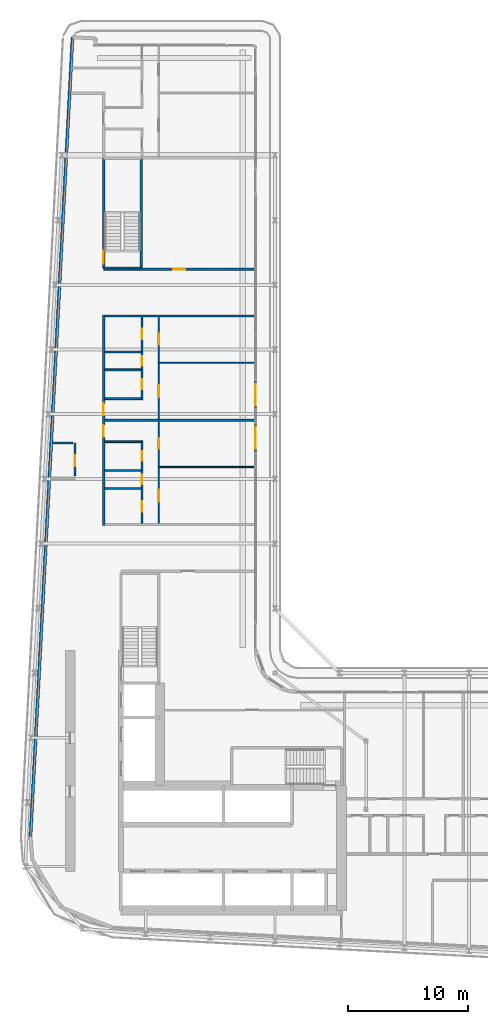
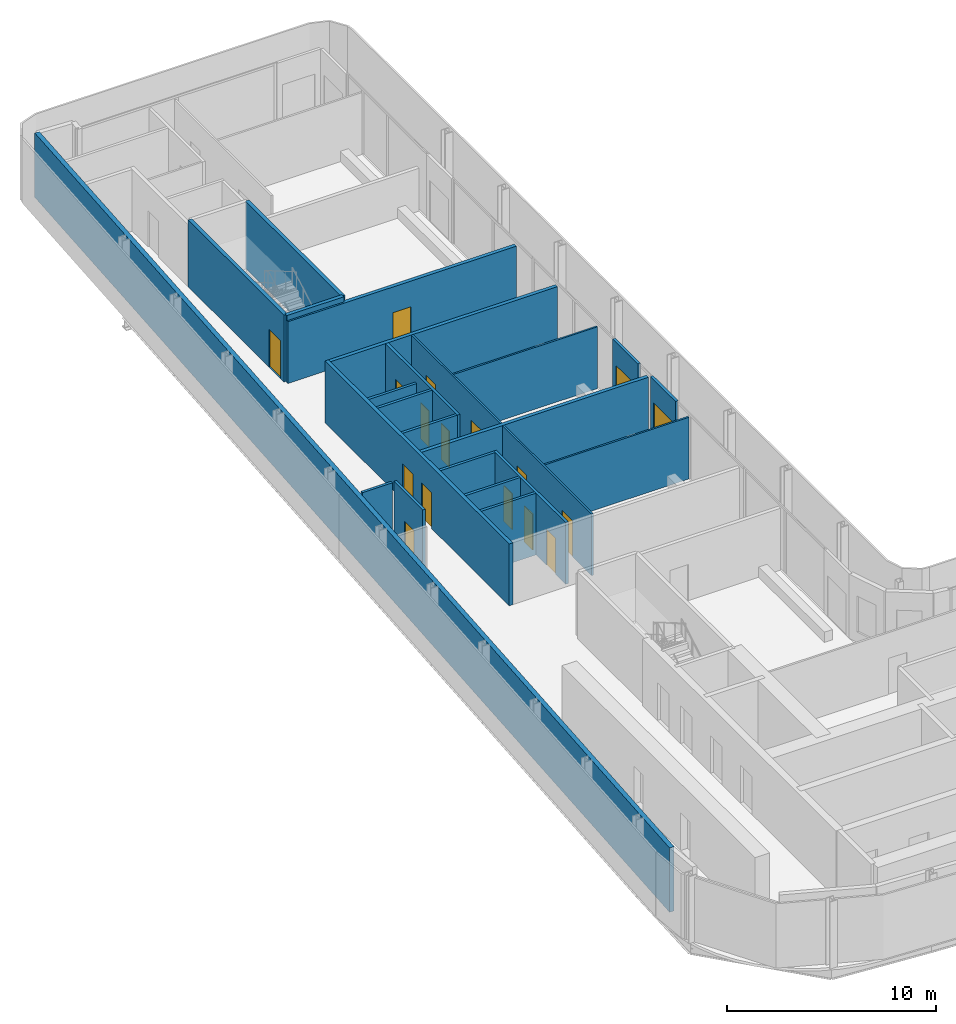
# One storey, part 19 of 29: 24 walls, 17 doors, 17 openings.
"""IFC4 building model written with IfcOpenShell, lengths in metres."""

from ifc_helpers import new_model, si_unit, direction, frame, frame_2d, origin, place, context, subcontext, project, spatial, rectangle, extrude, source, transform, mapped, material, layer, layer_set, type_object, element, fill, save


model = new_model("IFC4")

# Units and contexts
model_context = context("Model", 3, precision=1e-05, world=origin(), true_north=direction((0.0, 1.0)))
body_context = subcontext(model_context, "Body", "Model", "MODEL_VIEW")
ifc_project = project(units=[si_unit("LENGTHUNIT", "METRE"), si_unit("AREAUNIT", "SQUARE_METRE"), si_unit("VOLUMEUNIT", "CUBIC_METRE"), si_unit("PLANEANGLEUNIT", "RADIAN"), si_unit("MASSUNIT", "GRAM", prefix="KILO")], contexts=[model_context])

# Site, building, storey
site_placement = place(None, origin())
site = spatial("IfcSite", under=ifc_project, at=site_placement, CompositionType="ELEMENT")
building_placement = place(site_placement, origin())
building = spatial("IfcBuilding", under=site, at=building_placement, Name="Kheshtan School and Residences Tower", CompositionType="ELEMENT")
storey_placement = place(building_placement, frame((0.0, 0.0, 176.0)))
storey = spatial("IfcBuildingStorey", under=building, at=storey_placement, Name="L41", CompositionType="ELEMENT", Elevation=176.0)

# Wall, openings, doors
ifc_material_1 = material(Name="Gypsum board on steel studs with fire boards", Category="steel")
ifc_layer_1 = layer(ifc_material_1, 0.199951171875)
ifc_layer_set_1 = layer_set([ifc_layer_1], Name="Corridor wall 200")
wall_type_1 = type_object("IfcWallType", Name="Corridor wall 200", PredefinedType="PARTITIONING", material=ifc_layer_set_1)
wall_1_placement = place(storey_placement, frame((33.300048828125, 57.89990234375, 0.0), z_axis=(0.0, 0.0, 1.0), x_axis=(0.0, 1.0, 0.0)))
wall_1 = element("IfcWall", 1, at=wall_1_placement, inside=storey, type_object=wall_type_1, Name="Partition L41-003", PredefinedType="PARTITIONING", context=body_context, shape_type="SweptSolid", body=[
    extrude(rectangle(XDim=17.60009765625, YDim=0.199951171875, at=frame_2d((8.800048828125, 0.0))), origin(), (0.0, 0.0, 1.0), 3.60009765625),
])
opening_1_placement = place(wall_1_placement, frame((7.39990234375, 0.0, 0.0)))
opening_1 = element("IfcOpeningElement", 2, at=opening_1_placement, cuts=wall_1, Name="Opening D41-033", PredefinedType="OPENING", context=body_context, shape_type="SweptSolid", body=[
    extrude(rectangle(XDim=1.0, YDim=2.10009765625, at=frame_2d((0.5, 1.050048828125))), frame((0.0, 0.10986328125, 0.0), z_axis=(0.0, -1.0, 0.0), x_axis=(1.0, 0.0, 0.0)), (0.0, 0.0, 1.0), 0.219970703125),
])
opening_2_placement = place(wall_1_placement, frame((9.199951171875, 0.0, 0.0)))
opening_2 = element("IfcOpeningElement", 3, at=opening_2_placement, cuts=wall_1, Name="Opening D41-039", PredefinedType="OPENING", context=body_context, shape_type="SweptSolid", body=[
    extrude(rectangle(XDim=1.0, YDim=2.10009765625, at=frame_2d((0.5, 1.050048828125))), frame((0.0, 0.10986328125, 0.0), z_axis=(0.0, -1.0, 0.0), x_axis=(1.0, 0.0, 0.0)), (0.0, 0.0, 1.0), 0.219970703125),
])
ifc_material_2 = material(Name="Steel-framed fire-resisting door leaf", Category="steel")
door_type_1 = type_object("IfcDoorType", Name="Fire door FD30S 1000 x 2100", OperationType="SINGLE_SWING_LEFT", PredefinedType="DOOR", material=ifc_material_2)
shared_shape_1 = source(origin(), body_context, "Body", "SweptSolid", [
    extrude(rectangle(XDim=1.0, YDim=2.10009765625, at=frame_2d((0.5, 1.050048828125))), frame((0.0, 0.02490234375, 0.0), z_axis=(0.0, -1.0, 0.0), x_axis=(1.0, 0.0, 0.0)), (0.0, 0.0, 1.0), 0.050048828125),
])
door_1_placement = place(opening_1_placement, origin())
door_1 = element("IfcDoor", 4, at=door_1_placement, inside=storey, type_object=door_type_1, Name="Door D41-033", OperationType="SINGLE_SWING_LEFT", OverallHeight=2.10009765625, OverallWidth=1.0, PredefinedType="DOOR", context=body_context, shape_type="MappedRepresentation", body=[
    mapped(shared_shape_1, transform((0.0, 0.0, 0.0), x_axis=(1.0, 0.0, 0.0), y_axis=(0.0, 1.0, 0.0), z_axis=(0.0, 0.0, 1.0), scale=1.0)),
])
fill(opening_1, door_1)
door_2_placement = place(opening_2_placement, origin())
door_2 = element("IfcDoor", 5, at=door_2_placement, inside=storey, type_object=door_type_1, Name="Door D41-039", OperationType="SINGLE_SWING_LEFT", OverallHeight=2.10009765625, OverallWidth=1.0, PredefinedType="DOOR", context=body_context, shape_type="MappedRepresentation", body=[
    mapped(shared_shape_1, transform((0.0, 0.0, 0.0), x_axis=(1.0, 0.0, 0.0), y_axis=(0.0, 1.0, 0.0), z_axis=(0.0, 0.0, 1.0), scale=1.0)),
])
fill(opening_2, door_2)

# Wall, opening, door
wall_2_placement = place(storey_placement, frame((33.300048828125, 79.300048828125, 0.0), z_axis=(0.0, 0.0, 1.0), x_axis=(1.0, 0.0, 0.0)))
wall_2 = element("IfcWall", 6, at=wall_2_placement, inside=storey, type_object=wall_type_1, Name="Partition L41-004", PredefinedType="PARTITIONING", context=body_context, shape_type="SweptSolid", body=[
    extrude(rectangle(XDim=12.599853515625, YDim=0.199951171875, at=frame_2d((6.2998046875, 0.0))), origin(), (0.0, 0.0, 1.0), 3.60009765625),
])
opening_3_placement = place(wall_2_placement, frame((5.794921875, 0.0, 0.0)))
opening_3 = element("IfcOpeningElement", 7, at=opening_3_placement, cuts=wall_2, Name="Opening D41-052", PredefinedType="OPENING", context=body_context, shape_type="SweptSolid", body=[
    extrude(rectangle(XDim=1.0, YDim=2.10009765625, at=frame_2d((0.5, 1.050048828125))), frame((0.0, 0.10986328125, 0.0), z_axis=(0.0, -1.0, 0.0), x_axis=(1.0, 0.0, 0.0)), (0.0, 0.0, 1.0), 0.219970703125),
])
door_type_2 = type_object("IfcDoorType", Name="Fire door FD60 1000 x 2100", OperationType="SINGLE_SWING_LEFT", PredefinedType="DOOR", material=ifc_material_2)
shared_shape_2 = source(origin(), body_context, "Body", "SweptSolid", [
    extrude(rectangle(XDim=1.0, YDim=2.10009765625, at=frame_2d((0.5, 1.050048828125))), frame((0.0, 0.02490234375, 0.0), z_axis=(0.0, -1.0, 0.0), x_axis=(1.0, 0.0, 0.0)), (0.0, 0.0, 1.0), 0.050048828125),
])
door_3_placement = place(opening_3_placement, origin())
door_3 = element("IfcDoor", 8, at=door_3_placement, inside=storey, type_object=door_type_2, Name="Door D41-052", OperationType="SINGLE_SWING_RIGHT", OverallHeight=2.10009765625, OverallWidth=1.0, PredefinedType="DOOR", context=body_context, shape_type="MappedRepresentation", body=[
    mapped(shared_shape_2, transform((0.0, 0.0, 0.0), x_axis=(1.0, 0.0, 0.0), y_axis=(0.0, 1.0, 0.0), z_axis=(0.0, 0.0, 1.0), scale=1.0)),
])
fill(opening_3, door_3)

# Walls
wall_3_placement = place(storey_placement, frame((33.39990234375, 75.39990234375, 0.0), z_axis=(0.0, 0.0, 1.0), x_axis=(1.0, 0.0, 0.0)))
element("IfcWall", 9, at=wall_3_placement, inside=storey, type_object=wall_type_1, Name="Partition L41-014", PredefinedType="PARTITIONING", context=body_context, shape_type="SweptSolid", body=[
    extrude(rectangle(XDim=12.5, YDim=0.199951171875, at=frame_2d((6.25, 0.0))), origin(), (0.0, 0.0, 1.0), 3.60009765625),
])
ifc_material_3 = material(Name="Concrete C40/50 with ceramic cladding and mineral wool insulation", Category="concrete")
ifc_layer_2 = layer(ifc_material_3, 0.25)
ifc_layer_set_2 = layer_set([ifc_layer_2], Name="External wall 250 ceramic clad")
wall_type_2 = type_object("IfcWallType", Name="External wall 250 ceramic clad", PredefinedType="SOLIDWALL", material=ifc_layer_set_2)
wall_4_placement = place(storey_placement, frame((27.195068359375, 31.968994140625, 0.0), z_axis=(0.0, 0.0, 1.0), x_axis=(0.052554995867, 0.998618031286, 0.0)))
element("IfcWall", 10, at=wall_4_placement, inside=storey, type_object=wall_type_2, Name="External wall L41 4", PredefinedType="SOLIDWALL", context=body_context, shape_type="SweptSolid", body=[
    extrude(rectangle(XDim=66.787353515625, YDim=0.25, at=frame_2d((33.3935546875, 0.0))), origin(), (0.0, 0.0, 1.0), 3.75),
])

# Wall, opening, door
ifc_material_4 = material(Name="Aluminium frame wall with insulated infill", Category="aluminium")
ifc_layer_3 = layer(ifc_material_4, 0.14990234375)
ifc_layer_set_3 = layer_set([ifc_layer_3], Name="Glazing frame wall 150")
wall_type_3 = type_object("IfcWallType", Name="Glazing frame wall 150", PredefinedType="SOLIDWALL", material=ifc_layer_set_3)
wall_5_placement = place(storey_placement, frame((45.97509765625, 70.01806640625, 0.0), z_axis=(0.0, 0.0, 1.0), x_axis=(0.0, -1.0, 0.0)))
wall_5 = element("IfcWall", 11, at=wall_5_placement, inside=storey, type_object=wall_type_3, Name="Balcony door wall L41 8.3", PredefinedType="SOLIDWALL", context=body_context, shape_type="SweptSolid", body=[
    extrude(rectangle(XDim=2.400146484375, YDim=0.14990234375, at=frame_2d((1.2001953125, 0.0))), origin(), (0.0, 0.0, 1.0), 3.75),
])
opening_4_placement = place(wall_5_placement, frame((0.300048828125, 0.0, 0.0)))
opening_4 = element("IfcOpeningElement", 12, at=opening_4_placement, cuts=wall_5, Name="Opening BD", PredefinedType="OPENING", context=body_context, shape_type="SweptSolid", body=[
    extrude(rectangle(XDim=1.800048828125, YDim=2.39990234375, at=frame_2d((0.89990234375, 1.199951171875))), frame((0.0, 0.0849609375, 0.0), z_axis=(0.0, -1.0, 0.0), x_axis=(1.0, 0.0, 0.0)), (0.0, 0.0, 1.0), 0.169921875),
])
ifc_material_5 = material(Name="Clear low-e glass in thermally broken aluminium frame", Category="aluminium")
door_type_3 = type_object("IfcDoorType", Name="Balcony sliding door", OperationType="SLIDING_TO_LEFT", PredefinedType="DOOR", material=ifc_material_5)
shared_shape_3 = source(origin(), body_context, "Body", "SweptSolid", [
    extrude(rectangle(XDim=1.800048828125, YDim=2.39990234375, at=frame_2d((0.89990234375, 1.199951171875))), frame((0.0, 0.02490234375, 0.0), z_axis=(0.0, -1.0, 0.0), x_axis=(1.0, 0.0, 0.0)), (0.0, 0.0, 1.0), 0.050048828125),
])
door_4_placement = place(opening_4_placement, origin())
door_4 = element("IfcDoor", 13, at=door_4_placement, inside=storey, type_object=door_type_3, Name="Balcony door L41 8.3", OperationType="SLIDING_TO_LEFT", OverallHeight=2.39990234375, OverallWidth=1.800048828125, PredefinedType="DOOR", context=body_context, shape_type="MappedRepresentation", body=[
    mapped(shared_shape_3, transform((0.0, 0.0, 0.0), x_axis=(1.0, 0.0, 0.0), y_axis=(0.0, 1.0, 0.0), z_axis=(0.0, 0.0, 1.0), scale=1.0)),
])
fill(opening_4, door_4)

wall_6_placement = place(storey_placement, frame((45.97509765625, 66.41796875, 0.0), z_axis=(0.0, 0.0, 1.0), x_axis=(0.0, -1.0, 0.0)))
wall_6 = element("IfcWall", 14, at=wall_6_placement, inside=storey, type_object=wall_type_3, Name="Balcony door wall L41 8.4", PredefinedType="SOLIDWALL", context=body_context, shape_type="SweptSolid", body=[
    extrude(rectangle(XDim=2.39990234375, YDim=0.14990234375, at=frame_2d((1.199951171875, 0.0))), origin(), (0.0, 0.0, 1.0), 3.75),
])
opening_5_placement = place(wall_6_placement, frame((0.300048828125, 0.0, 0.0)))
opening_5 = element("IfcOpeningElement", 15, at=opening_5_placement, cuts=wall_6, Name="Opening BD", PredefinedType="OPENING", context=body_context, shape_type="SweptSolid", body=[
    extrude(rectangle(XDim=1.800048828125, YDim=2.39990234375, at=frame_2d((0.89990234375, 1.199951171875))), frame((0.0, 0.0849609375, 0.0), z_axis=(0.0, -1.0, 0.0), x_axis=(1.0, 0.0, 0.0)), (0.0, 0.0, 1.0), 0.169921875),
])
door_5_placement = place(opening_5_placement, origin())
door_5 = element("IfcDoor", 16, at=door_5_placement, inside=storey, type_object=door_type_3, Name="Balcony door L41 8.4", OperationType="SLIDING_TO_LEFT", OverallHeight=2.39990234375, OverallWidth=1.800048828125, PredefinedType="DOOR", context=body_context, shape_type="MappedRepresentation", body=[
    mapped(shared_shape_3, transform((0.0, 0.0, 0.0), x_axis=(1.0, 0.0, 0.0), y_axis=(0.0, 1.0, 0.0), z_axis=(0.0, 0.0, 1.0), scale=1.0)),
])
fill(opening_5, door_5)

# Wall, openings, doors
ifc_material_6 = material(Name="Gypsum board on steel studs", Category="steel")
ifc_layer_4 = layer(ifc_material_6, 0.10009765625)
ifc_layer_set_4 = layer_set([ifc_layer_4], Name="Gypsum partition 100")
wall_type_4 = type_object("IfcWallType", Name="Gypsum partition 100", PredefinedType="PARTITIONING", material=ifc_layer_set_4)
wall_7_placement = place(storey_placement, frame((37.89990234375, 58.10009765625, 0.0), z_axis=(0.0, 0.0, 1.0), x_axis=(0.0, 1.0, 0.0)))
wall_7 = element("IfcWall", 17, at=wall_7_placement, inside=storey, type_object=wall_type_4, Name="Partition L41-023", PredefinedType="PARTITIONING", context=body_context, shape_type="SweptSolid", body=[
    extrude(rectangle(XDim=8.5, YDim=0.10009765625, at=frame_2d((4.25, 0.0))), origin(), (0.0, 0.0, 1.0), 3.60009765625),
])
opening_6_placement = place(wall_7_placement, frame((6.199951171875, 0.0, 0.0)))
opening_6 = element("IfcOpeningElement", 18, at=opening_6_placement, cuts=wall_7, Name="Opening D41-032", PredefinedType="OPENING", context=body_context, shape_type="SweptSolid", body=[
    extrude(rectangle(XDim=0.89990234375, YDim=2.10009765625, at=frame_2d((0.449951171875, 1.050048828125))), frame((0.0, 0.06005859375, 0.0), z_axis=(0.0, -1.0, 0.0), x_axis=(1.0, 0.0, 0.0)), (0.0, 0.0, 1.0), 0.1201171875),
])
opening_7_placement = place(wall_7_placement, frame((1.800048828125, 0.0, 0.0)))
opening_7 = element("IfcOpeningElement", 19, at=opening_7_placement, cuts=wall_7, Name="Opening D41-035", PredefinedType="OPENING", context=body_context, shape_type="SweptSolid", body=[
    extrude(rectangle(XDim=1.0, YDim=2.10009765625, at=frame_2d((0.5, 1.050048828125))), frame((0.0, 0.06005859375, 0.0), z_axis=(0.0, -1.0, 0.0), x_axis=(1.0, 0.0, 0.0)), (0.0, 0.0, 1.0), 0.1201171875),
])
ifc_material_7 = material(Name="Veneered timber door leaf", Category="wood")
door_type_4 = type_object("IfcDoorType", Name="Door 1000 x 2100", OperationType="SINGLE_SWING_LEFT", PredefinedType="DOOR", material=ifc_material_7)
shared_shape_4 = source(origin(), body_context, "Body", "SweptSolid", [
    extrude(rectangle(XDim=1.0, YDim=2.10009765625, at=frame_2d((0.5, 1.050048828125))), frame((0.0, 0.02490234375, 0.0), z_axis=(0.0, -1.0, 0.0), x_axis=(1.0, 0.0, 0.0)), (0.0, 0.0, 1.0), 0.050048828125),
])
door_6_placement = place(opening_7_placement, origin())
door_6 = element("IfcDoor", 20, at=door_6_placement, inside=storey, type_object=door_type_4, Name="Door D41-035", OperationType="SINGLE_SWING_RIGHT", OverallHeight=2.10009765625, OverallWidth=1.0, PredefinedType="DOOR", context=body_context, shape_type="MappedRepresentation", body=[
    mapped(shared_shape_4, transform((0.0, 0.0, 0.0), x_axis=(1.0, 0.0, 0.0), y_axis=(0.0, 1.0, 0.0), z_axis=(0.0, 0.0, 1.0), scale=1.0)),
])
fill(opening_7, door_6)
door_type_5 = type_object("IfcDoorType", Name="Door 900 x 2100", OperationType="SINGLE_SWING_LEFT", PredefinedType="DOOR", material=ifc_material_7)
shared_shape_5 = source(origin(), body_context, "Body", "SweptSolid", [
    extrude(rectangle(XDim=0.89990234375, YDim=2.10009765625, at=frame_2d((0.449951171875, 1.050048828125))), frame((0.0, 0.02490234375, 0.0), z_axis=(0.0, -1.0, 0.0), x_axis=(1.0, 0.0, 0.0)), (0.0, 0.0, 1.0), 0.050048828125),
])
door_7_placement = place(opening_6_placement, origin())
door_7 = element("IfcDoor", 21, at=door_7_placement, inside=storey, type_object=door_type_5, Name="Door D41-032", OperationType="SINGLE_SWING_RIGHT", OverallHeight=2.10009765625, OverallWidth=0.89990234375, PredefinedType="DOOR", context=body_context, shape_type="MappedRepresentation", body=[
    mapped(shared_shape_5, transform((0.0, 0.0, 0.0), x_axis=(1.0, 0.0, 0.0), y_axis=(0.0, 1.0, 0.0), z_axis=(0.0, 0.0, 1.0), scale=1.0)),
])
fill(opening_6, door_7)

wall_8_placement = place(storey_placement, frame((37.89990234375, 66.800048828125, 0.0), z_axis=(0.0, 0.0, 1.0), x_axis=(0.0, 1.0, 0.0)))
wall_8 = element("IfcWall", 22, at=wall_8_placement, inside=storey, type_object=wall_type_4, Name="Partition L41-024", PredefinedType="PARTITIONING", context=body_context, shape_type="SweptSolid", body=[
    extrude(rectangle(XDim=8.5, YDim=0.10009765625, at=frame_2d((4.25, 0.0))), origin(), (0.0, 0.0, 1.0), 3.60009765625),
])
opening_8_placement = place(wall_8_placement, frame((6.199951171875, 0.0, 0.0)))
opening_8 = element("IfcOpeningElement", 23, at=opening_8_placement, cuts=wall_8, Name="Opening D41-038", PredefinedType="OPENING", context=body_context, shape_type="SweptSolid", body=[
    extrude(rectangle(XDim=0.89990234375, YDim=2.10009765625, at=frame_2d((0.449951171875, 1.050048828125))), frame((0.0, 0.06005859375, 0.0), z_axis=(0.0, -1.0, 0.0), x_axis=(1.0, 0.0, 0.0)), (0.0, 0.0, 1.0), 0.1201171875),
])
opening_9_placement = place(wall_8_placement, frame((1.800048828125, 0.0, 0.0)))
opening_9 = element("IfcOpeningElement", 24, at=opening_9_placement, cuts=wall_8, Name="Opening D41-041", PredefinedType="OPENING", context=body_context, shape_type="SweptSolid", body=[
    extrude(rectangle(XDim=1.0, YDim=2.10009765625, at=frame_2d((0.5, 1.050048828125))), frame((0.0, 0.06005859375, 0.0), z_axis=(0.0, -1.0, 0.0), x_axis=(1.0, 0.0, 0.0)), (0.0, 0.0, 1.0), 0.1201171875),
])
door_8_placement = place(opening_9_placement, origin())
door_8 = element("IfcDoor", 25, at=door_8_placement, inside=storey, type_object=door_type_4, Name="Door D41-041", OperationType="SINGLE_SWING_RIGHT", OverallHeight=2.10009765625, OverallWidth=1.0, PredefinedType="DOOR", context=body_context, shape_type="MappedRepresentation", body=[
    mapped(shared_shape_4, transform((0.0, 0.0, 0.0), x_axis=(1.0, 0.0, 0.0), y_axis=(0.0, 1.0, 0.0), z_axis=(0.0, 0.0, 1.0), scale=1.0)),
])
fill(opening_9, door_8)
door_9_placement = place(opening_8_placement, origin())
door_9 = element("IfcDoor", 26, at=door_9_placement, inside=storey, type_object=door_type_5, Name="Door D41-038", OperationType="SINGLE_SWING_RIGHT", OverallHeight=2.10009765625, OverallWidth=0.89990234375, PredefinedType="DOOR", context=body_context, shape_type="MappedRepresentation", body=[
    mapped(shared_shape_5, transform((0.0, 0.0, 0.0), x_axis=(1.0, 0.0, 0.0), y_axis=(0.0, 1.0, 0.0), z_axis=(0.0, 0.0, 1.0), scale=1.0)),
])
fill(opening_8, door_9)

# Walls
for number, where, z_axis, x_axis, name in (
    (27, (37.949951171875, 62.800048828125, 0.0), (0.0, 0.0, 1.0), (1.0, 0.0, 0.0), "Partition L41-026"),
    (28, (37.949951171875, 71.5, 0.0), (0.0, 0.0, 1.0), (1.0, 0.0, 0.0), "Partition L41-027"),
):
    element("IfcWall", number, at=place(storey_placement, frame(where, z_axis=z_axis, x_axis=x_axis)), inside=storey, type_object=wall_type_4, Name=name, PredefinedType="PARTITIONING", context=body_context, shape_type="SweptSolid", body=[
        extrude(rectangle(XDim=7.949951171875, YDim=0.10009765625, at=frame_2d((3.97509765625, 0.0))), origin(), (0.0, 0.0, 1.0), 3.60009765625),
    ])

# Wall, opening, door
ifc_material_8 = material(Name="Fire-board shaft wall system")
ifc_layer_5 = layer(ifc_material_8, 0.14990234375)
ifc_layer_set_5 = layer_set([ifc_layer_5], Name="Service room wall 150")
wall_type_5 = type_object("IfcWallType", Name="Service room wall 150", PredefinedType="PARTITIONING", material=ifc_layer_set_5)
wall_9_placement = place(storey_placement, frame((30.89990234375, 62.0458984375, 0.0), z_axis=(0.0, 0.0, 1.0), x_axis=(0.0, 1.0, 0.0)))
wall_9 = element("IfcWall", 29, at=wall_9_placement, inside=storey, type_object=wall_type_5, Name="Service room wall", PredefinedType="PARTITIONING", context=body_context, shape_type="SweptSolid", body=[
    extrude(rectangle(XDim=2.754150390625, YDim=0.14990234375, at=frame_2d((1.376953125, 0.0))), origin(), (0.0, 0.0, 1.0), 3.89990234375),
])
opening_10_placement = place(wall_9_placement, frame((0.830078125, 0.0, 0.0)))
opening_10 = element("IfcOpeningElement", 30, at=opening_10_placement, cuts=wall_9, Name="Opening SR90", PredefinedType="OPENING", context=body_context, shape_type="SweptSolid", body=[
    extrude(rectangle(XDim=0.89990234375, YDim=2.199951171875, at=frame_2d((0.449951171875, 1.10009765625))), frame((0.0, 0.0849609375, 0.0), z_axis=(0.0, -1.0, 0.0), x_axis=(1.0, 0.0, 0.0)), (0.0, 0.0, 1.0), 0.169921875),
])
ifc_material_9 = material(Name="Steel door leaf, galvanised", Category="steel")
door_type_6 = type_object("IfcDoorType", Name="Service room door 900 steel 90 min", OperationType="SINGLE_SWING_LEFT", PredefinedType="DOOR", material=ifc_material_9)
shared_shape_6 = source(origin(), body_context, "Body", "SweptSolid", [
    extrude(rectangle(XDim=0.89990234375, YDim=2.199951171875, at=frame_2d((0.449951171875, 1.10009765625))), frame((0.0, 0.02490234375, 0.0), z_axis=(0.0, -1.0, 0.0), x_axis=(1.0, 0.0, 0.0)), (0.0, 0.0, 1.0), 0.050048828125),
])
door_10_placement = place(opening_10_placement, origin())
door_10 = element("IfcDoor", 31, at=door_10_placement, inside=storey, type_object=door_type_6, Name="Service room door", OperationType="SINGLE_SWING_LEFT", OverallHeight=2.199951171875, OverallWidth=0.89990234375, PredefinedType="DOOR", context=body_context, shape_type="MappedRepresentation", body=[
    mapped(shared_shape_6, transform((0.0, 0.0, 0.0), x_axis=(1.0, 0.0, 0.0), y_axis=(0.0, 1.0, 0.0), z_axis=(0.0, 0.0, 1.0), scale=1.0)),
])
fill(opening_10, door_10)

# Walls
wall_10_placement = place(storey_placement, frame((29.050048828125, 64.800048828125, 0.0), z_axis=(0.0, 0.0, 1.0), x_axis=(1.0, 0.0, 0.0)))
element("IfcWall", 32, at=wall_10_placement, inside=storey, type_object=wall_type_5, Name="Service room wall", PredefinedType="PARTITIONING", context=body_context, shape_type="SweptSolid", body=[
    extrude(rectangle(XDim=1.655029296875, YDim=0.14990234375, at=frame_2d((0.82763671875, 0.0))), origin(), (0.0, 0.0, 1.0), 3.89990234375),
])
ifc_material_10 = material(Name="Concrete C40/50", Category="concrete")
ifc_layer_6 = layer(ifc_material_10, 0.199951171875)
ifc_layer_set_6 = layer_set([ifc_layer_6], Name="Stair enclosure wall 200 Concrete C40/50")
wall_type_6 = type_object("IfcWallType", Name="Stair enclosure wall 200 Concrete C40/50", PredefinedType="SHEAR", material=ifc_layer_set_6)
wall_11_placement = place(storey_placement, frame((33.300048828125, 79.39990234375, 0.0), z_axis=(0.0, 0.0, 1.0), x_axis=(1.0, 0.0, 0.0)))
element("IfcWall", 33, at=wall_11_placement, inside=storey, type_object=wall_type_6, Name="Stair enclosure wall ST3", PredefinedType="SHEAR", context=body_context, shape_type="SweptSolid", body=[
    extrude(rectangle(XDim=3.14990234375, YDim=0.199951171875, at=frame_2d((1.574951171875, 0.0))), origin(), (0.0, 0.0, 1.0), 3.89990234375),
])

# Wall, opening, door
wall_12_placement = place(storey_placement, frame((33.300048828125, 79.39990234375, 0.0), z_axis=(0.0, 0.0, 1.0), x_axis=(0.0, 1.0, 0.0)))
wall_12 = element("IfcWall", 34, at=wall_12_placement, inside=storey, type_object=wall_type_6, Name="Stair enclosure wall ST3", PredefinedType="SHEAR", context=body_context, shape_type="SweptSolid", body=[
    extrude(rectangle(XDim=9.16015625, YDim=0.199951171875, at=frame_2d((4.580078125, 0.0))), origin(), (0.0, 0.0, 1.0), 3.89990234375),
])
opening_11_placement = place(wall_12_placement, frame((0.35009765625, 0.0, 0.0)))
opening_11 = element("IfcOpeningElement", 35, at=opening_11_placement, cuts=wall_12, Name="Opening ST3D", PredefinedType="OPENING", context=body_context, shape_type="SweptSolid", body=[
    extrude(rectangle(XDim=1.10009765625, YDim=2.199951171875, at=frame_2d((0.550048828125, 1.10009765625))), frame((0.0, 0.10986328125, 0.0), z_axis=(0.0, -1.0, 0.0), x_axis=(1.0, 0.0, 0.0)), (0.0, 0.0, 1.0), 0.219970703125),
])
door_type_7 = type_object("IfcDoorType", Name="Stair door 1100 steel 90 min", OperationType="SINGLE_SWING_LEFT", PredefinedType="DOOR", material=ifc_material_9)
shared_shape_7 = source(origin(), body_context, "Body", "SweptSolid", [
    extrude(rectangle(XDim=1.10009765625, YDim=2.199951171875, at=frame_2d((0.550048828125, 1.10009765625))), frame((0.0, 0.02490234375, 0.0), z_axis=(0.0, -1.0, 0.0), x_axis=(1.0, 0.0, 0.0)), (0.0, 0.0, 1.0), 0.050048828125),
])
door_11_placement = place(opening_11_placement, origin())
door_11 = element("IfcDoor", 36, at=door_11_placement, inside=storey, type_object=door_type_7, Name="Stair ST3 door", OperationType="SINGLE_SWING_RIGHT", OverallHeight=2.199951171875, OverallWidth=1.10009765625, PredefinedType="DOOR", context=body_context, shape_type="MappedRepresentation", body=[
    mapped(shared_shape_7, transform((0.0, 0.0, 0.0), x_axis=(1.0, 0.0, 0.0), y_axis=(0.0, 1.0, 0.0), z_axis=(0.0, 0.0, 1.0), scale=1.0)),
])
fill(opening_11, door_11)

# Walls
wall_13_placement = place(storey_placement, frame((36.449951171875, 79.39990234375, 0.0), z_axis=(0.0, 0.0, 1.0), x_axis=(0.0, 1.0, 0.0)))
element("IfcWall", 37, at=wall_13_placement, inside=storey, type_object=wall_type_6, Name="Stair enclosure wall ST3", PredefinedType="SHEAR", context=body_context, shape_type="SweptSolid", body=[
    extrude(rectangle(XDim=9.16015625, YDim=0.199951171875, at=frame_2d((4.580078125, 0.0))), origin(), (0.0, 0.0, 1.0), 3.89990234375),
])
ifc_material_11 = material(Name="Twin gypsum board on steel studs with mineral wool", Category="steel")
ifc_layer_7 = layer(ifc_material_11, 0.199951171875)
ifc_layer_set_7 = layer_set([ifc_layer_7], Name="Unit demising wall 200")
wall_type_7 = type_object("IfcWallType", Name="Unit demising wall 200", PredefinedType="PARTITIONING", material=ifc_layer_set_7)
wall_14_placement = place(storey_placement, frame((33.39990234375, 66.699951171875, 0.0), z_axis=(0.0, 0.0, 1.0), x_axis=(1.0, 0.0, 0.0)))
element("IfcWall", 38, at=wall_14_placement, inside=storey, type_object=wall_type_7, Name="Partition L41-010", PredefinedType="PARTITIONING", context=body_context, shape_type="SweptSolid", body=[
    extrude(rectangle(XDim=12.5, YDim=0.199951171875, at=frame_2d((6.25, 0.0))), origin(), (0.0, 0.0, 1.0), 3.60009765625),
])
ifc_material_12 = material(Name="Moisture-resistant gypsum board on steel studs", Category="steel")
ifc_layer_8 = layer(ifc_material_12, 0.14990234375)
ifc_layer_set_8 = layer_set([ifc_layer_8], Name="Wet-room partition 150")
wall_type_8 = type_object("IfcWallType", Name="Wet-room partition 150", PredefinedType="PARTITIONING", material=ifc_layer_set_8)
for number, where, z_axis, x_axis, name in (
    (39, (33.39990234375, 61.0, 0.0), (0.0, 0.0, 1.0), (1.0, 0.0, 0.0), "Partition L41-007"),
    (40, (33.39990234375, 62.5, 0.0), (0.0, 0.0, 1.0), (1.0, 0.0, 0.0), "Partition L41-008"),
    (41, (33.39990234375, 64.89990234375, 0.0), (0.0, 0.0, 1.0), (1.0, 0.0, 0.0), "Partition L41-009"),
    (42, (33.39990234375, 68.5, 0.0), (0.0, 0.0, 1.0), (1.0, 0.0, 0.0), "Partition L41-011"),
    (43, (33.39990234375, 70.89990234375, 0.0), (0.0, 0.0, 1.0), (1.0, 0.0, 0.0), "Partition L41-012"),
):
    element("IfcWall", number, at=place(storey_placement, frame(where, z_axis=z_axis, x_axis=x_axis)), inside=storey, type_object=wall_type_8, Name=name, PredefinedType="PARTITIONING", context=body_context, shape_type="SweptSolid", body=[
        extrude(rectangle(XDim=3.025146484375, YDim=0.14990234375, at=frame_2d((1.5126953125, 0.0))), origin(), (0.0, 0.0, 1.0), 3.60009765625),
    ])
wall_15_placement = place(storey_placement, frame((33.39990234375, 72.39990234375, 0.0), z_axis=(0.0, 0.0, 1.0), x_axis=(1.0, 0.0, 0.0)))
element("IfcWall", 44, at=wall_15_placement, inside=storey, type_object=wall_type_8, Name="Partition L41-013", PredefinedType="PARTITIONING", context=body_context, shape_type="SweptSolid", body=[
    extrude(rectangle(XDim=3.025146484375, YDim=0.14990234375, at=frame_2d((1.5126953125, 0.0))), origin(), (0.0, 0.0, 1.0), 3.072021484375),
])

# Wall, openings, doors
wall_16_placement = place(storey_placement, frame((36.5, 58.10009765625, 0.0), z_axis=(0.0, 0.0, 1.0), x_axis=(0.0, 1.0, 0.0)))
wall_16 = element("IfcWall", 45, at=wall_16_placement, inside=storey, type_object=wall_type_8, Name="Partition L41-019", PredefinedType="PARTITIONING", context=body_context, shape_type="SweptSolid", body=[
    extrude(rectangle(XDim=6.875, YDim=0.14990234375, at=frame_2d((3.4375, 0.0))), origin(), (0.0, 0.0, 1.0), 3.60009765625),
])
opening_12_placement = place(wall_16_placement, frame((5.199951171875, 0.0, 0.0)))
opening_12 = element("IfcOpeningElement", 46, at=opening_12_placement, cuts=wall_16, Name="Opening D41-031", PredefinedType="OPENING", context=body_context, shape_type="SweptSolid", body=[
    extrude(rectangle(XDim=0.800048828125, YDim=2.10009765625, at=frame_2d((0.39990234375, 1.050048828125))), frame((0.0, 0.0849609375, 0.0), z_axis=(0.0, -1.0, 0.0), x_axis=(1.0, 0.0, 0.0)), (0.0, 0.0, 1.0), 0.169921875),
])
opening_13_placement = place(wall_16_placement, frame((0.949951171875, 0.0, 0.0)))
opening_13 = element("IfcOpeningElement", 47, at=opening_13_placement, cuts=wall_16, Name="Opening D41-034", PredefinedType="OPENING", context=body_context, shape_type="SweptSolid", body=[
    extrude(rectangle(XDim=0.89990234375, YDim=2.10009765625, at=frame_2d((0.449951171875, 1.050048828125))), frame((0.0, 0.0849609375, 0.0), z_axis=(0.0, -1.0, 0.0), x_axis=(1.0, 0.0, 0.0)), (0.0, 0.0, 1.0), 0.169921875),
])
opening_14_placement = place(wall_16_placement, frame((3.25, 0.0, 0.0)))
opening_14 = element("IfcOpeningElement", 48, at=opening_14_placement, cuts=wall_16, Name="Opening D41-036", PredefinedType="OPENING", context=body_context, shape_type="SweptSolid", body=[
    extrude(rectangle(XDim=0.800048828125, YDim=2.10009765625, at=frame_2d((0.39990234375, 1.050048828125))), frame((0.0, 0.0849609375, 0.0), z_axis=(0.0, -1.0, 0.0), x_axis=(1.0, 0.0, 0.0)), (0.0, 0.0, 1.0), 0.169921875),
])
door_type_8 = type_object("IfcDoorType", Name="Door 800 x 2100", OperationType="SINGLE_SWING_LEFT", PredefinedType="DOOR", material=ifc_material_7)
shared_shape_8 = source(origin(), body_context, "Body", "SweptSolid", [
    extrude(rectangle(XDim=0.800048828125, YDim=2.10009765625, at=frame_2d((0.39990234375, 1.050048828125))), frame((0.0, 0.02490234375, 0.0), z_axis=(0.0, -1.0, 0.0), x_axis=(1.0, 0.0, 0.0)), (0.0, 0.0, 1.0), 0.050048828125),
])
door_12_placement = place(opening_12_placement, origin())
door_12 = element("IfcDoor", 49, at=door_12_placement, inside=storey, type_object=door_type_8, Name="Door D41-031", OperationType="SINGLE_SWING_RIGHT", OverallHeight=2.10009765625, OverallWidth=0.800048828125, PredefinedType="DOOR", context=body_context, shape_type="MappedRepresentation", body=[
    mapped(shared_shape_8, transform((0.0, 0.0, 0.0), x_axis=(1.0, 0.0, 0.0), y_axis=(0.0, 1.0, 0.0), z_axis=(0.0, 0.0, 1.0), scale=1.0)),
])
fill(opening_12, door_12)
door_13_placement = place(opening_14_placement, origin())
door_13 = element("IfcDoor", 50, at=door_13_placement, inside=storey, type_object=door_type_8, Name="Door D41-036", OperationType="SINGLE_SWING_RIGHT", OverallHeight=2.10009765625, OverallWidth=0.800048828125, PredefinedType="DOOR", context=body_context, shape_type="MappedRepresentation", body=[
    mapped(shared_shape_8, transform((0.0, 0.0, 0.0), x_axis=(1.0, 0.0, 0.0), y_axis=(0.0, 1.0, 0.0), z_axis=(0.0, 0.0, 1.0), scale=1.0)),
])
fill(opening_14, door_13)
door_14_placement = place(opening_13_placement, origin())
door_14 = element("IfcDoor", 51, at=door_14_placement, inside=storey, type_object=door_type_5, Name="Door D41-034", OperationType="SINGLE_SWING_RIGHT", OverallHeight=2.10009765625, OverallWidth=0.89990234375, PredefinedType="DOOR", context=body_context, shape_type="MappedRepresentation", body=[
    mapped(shared_shape_5, transform((0.0, 0.0, 0.0), x_axis=(1.0, 0.0, 0.0), y_axis=(0.0, 1.0, 0.0), z_axis=(0.0, 0.0, 1.0), scale=1.0)),
])
fill(opening_13, door_14)

wall_17_placement = place(storey_placement, frame((36.5, 68.425048828125, 0.0), z_axis=(0.0, 0.0, 1.0), x_axis=(0.0, 1.0, 0.0)))
wall_17 = element("IfcWall", 52, at=wall_17_placement, inside=storey, type_object=wall_type_8, Name="Partition L41-020", PredefinedType="PARTITIONING", context=body_context, shape_type="SweptSolid", body=[
    extrude(rectangle(XDim=6.875, YDim=0.14990234375, at=frame_2d((3.4375, 0.0))), origin(), (0.0, 0.0, 1.0), 3.60009765625),
])
opening_15_placement = place(wall_17_placement, frame((0.875, 0.0, 0.0)))
opening_15 = element("IfcOpeningElement", 53, at=opening_15_placement, cuts=wall_17, Name="Opening D41-037", PredefinedType="OPENING", context=body_context, shape_type="SweptSolid", body=[
    extrude(rectangle(XDim=0.800048828125, YDim=2.10009765625, at=frame_2d((0.39990234375, 1.050048828125))), frame((0.0, 0.0849609375, 0.0), z_axis=(0.0, -1.0, 0.0), x_axis=(1.0, 0.0, 0.0)), (0.0, 0.0, 1.0), 0.169921875),
])
opening_16_placement = place(wall_17_placement, frame((5.02490234375, 0.0, 0.0)))
opening_16 = element("IfcOpeningElement", 54, at=opening_16_placement, cuts=wall_17, Name="Opening D41-040", PredefinedType="OPENING", context=body_context, shape_type="SweptSolid", body=[
    extrude(rectangle(XDim=0.89990234375, YDim=2.10009765625, at=frame_2d((0.449951171875, 1.050048828125))), frame((0.0, 0.0849609375, 0.0), z_axis=(0.0, -1.0, 0.0), x_axis=(1.0, 0.0, 0.0)), (0.0, 0.0, 1.0), 0.169921875),
])
opening_17_placement = place(wall_17_placement, frame((2.824951171875, 0.0, 0.0)))
opening_17 = element("IfcOpeningElement", 55, at=opening_17_placement, cuts=wall_17, Name="Opening D41-042", PredefinedType="OPENING", context=body_context, shape_type="SweptSolid", body=[
    extrude(rectangle(XDim=0.800048828125, YDim=2.10009765625, at=frame_2d((0.39990234375, 1.050048828125))), frame((0.0, 0.0849609375, 0.0), z_axis=(0.0, -1.0, 0.0), x_axis=(1.0, 0.0, 0.0)), (0.0, 0.0, 1.0), 0.169921875),
])
door_15_placement = place(opening_15_placement, origin())
door_15 = element("IfcDoor", 56, at=door_15_placement, inside=storey, type_object=door_type_8, Name="Door D41-037", OperationType="SINGLE_SWING_LEFT", OverallHeight=2.10009765625, OverallWidth=0.800048828125, PredefinedType="DOOR", context=body_context, shape_type="MappedRepresentation", body=[
    mapped(shared_shape_8, transform((0.0, 0.0, 0.0), x_axis=(1.0, 0.0, 0.0), y_axis=(0.0, 1.0, 0.0), z_axis=(0.0, 0.0, 1.0), scale=1.0)),
])
fill(opening_15, door_15)
door_16_placement = place(opening_17_placement, origin())
door_16 = element("IfcDoor", 57, at=door_16_placement, inside=storey, type_object=door_type_8, Name="Door D41-042", OperationType="SINGLE_SWING_RIGHT", OverallHeight=2.10009765625, OverallWidth=0.800048828125, PredefinedType="DOOR", context=body_context, shape_type="MappedRepresentation", body=[
    mapped(shared_shape_8, transform((0.0, 0.0, 0.0), x_axis=(1.0, 0.0, 0.0), y_axis=(0.0, 1.0, 0.0), z_axis=(0.0, 0.0, 1.0), scale=1.0)),
])
fill(opening_17, door_16)
door_17_placement = place(opening_16_placement, origin())
door_17 = element("IfcDoor", 58, at=door_17_placement, inside=storey, type_object=door_type_5, Name="Door D41-040", OperationType="SINGLE_SWING_RIGHT", OverallHeight=2.10009765625, OverallWidth=0.89990234375, PredefinedType="DOOR", context=body_context, shape_type="MappedRepresentation", body=[
    mapped(shared_shape_5, transform((0.0, 0.0, 0.0), x_axis=(1.0, 0.0, 0.0), y_axis=(0.0, 1.0, 0.0), z_axis=(0.0, 0.0, 1.0), scale=1.0)),
])
fill(opening_16, door_17)

save(model, "model.ifc")
